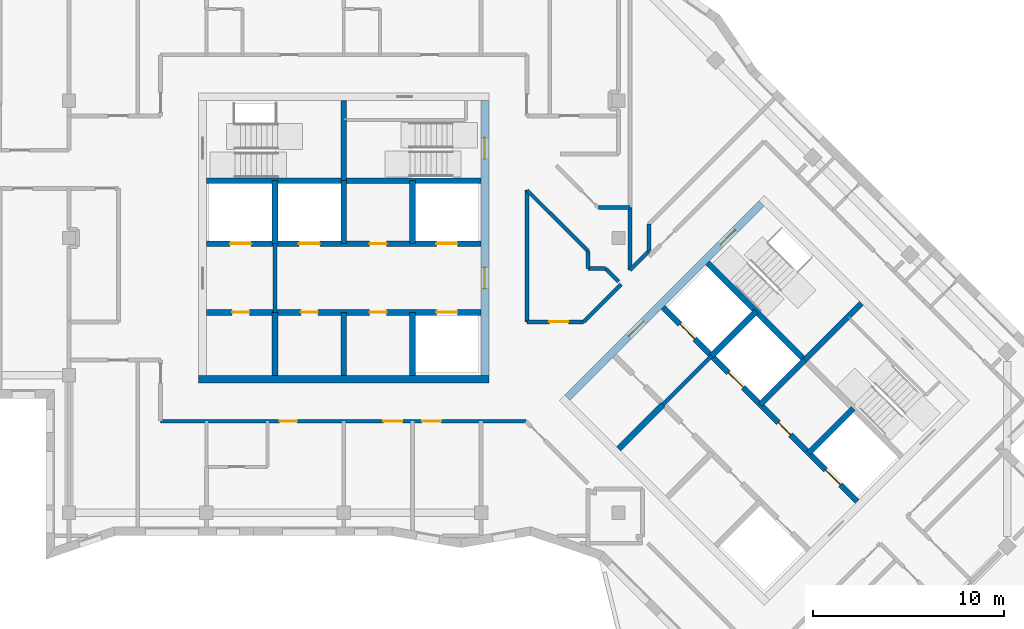
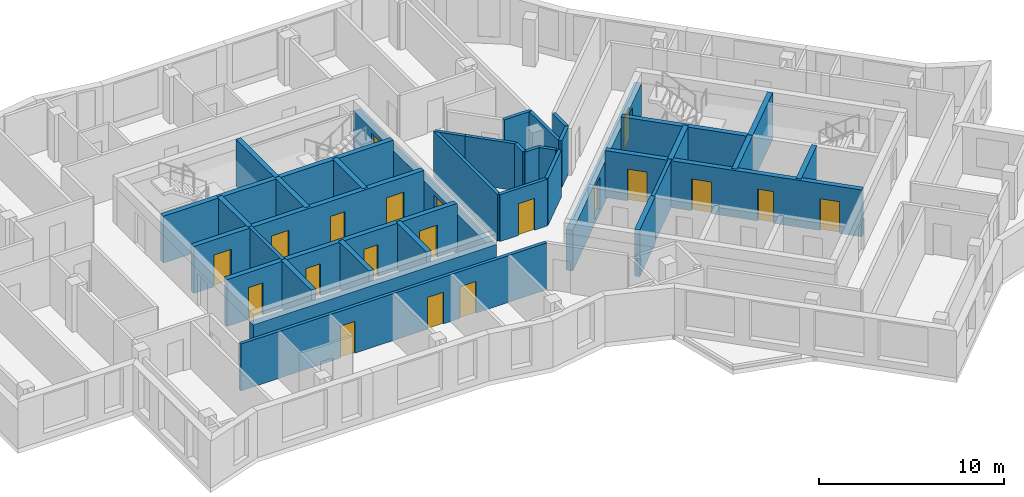
# One storey, part 4 of 11: 36 walls, 20 doors, 20 openings.
"""IFC4 building model written with IfcOpenShell, lengths in metres."""

from ifc_helpers import new_model, si_unit, direction, frame, frame_2d, origin, place, context, subcontext, project, spatial, rectangle, extrude, material, layer, layer_set, type_object, element, fill, save


model = new_model("IFC4")

# Units and contexts
model_context = context("Model", 3, precision=1e-05, world=origin(), true_north=direction((0.0, 1.0)))
body_context = subcontext(model_context, "Body", "Model", "MODEL_VIEW")
ifc_project = project(units=[si_unit("LENGTHUNIT", "METRE"), si_unit("AREAUNIT", "SQUARE_METRE"), si_unit("VOLUMEUNIT", "CUBIC_METRE"), si_unit("PLANEANGLEUNIT", "RADIAN"), si_unit("MASSUNIT", "GRAM", prefix="KILO")], contexts=[model_context])

# Site, building, storey
site_placement = place(None, origin())
site = spatial("IfcSite", under=ifc_project, at=site_placement, CompositionType="ELEMENT")
building_placement = place(site_placement, origin())
building = spatial("IfcBuilding", under=site, at=building_placement, Name="Windrow Commons", CompositionType="ELEMENT")
storey_placement = place(building_placement, frame((0.0, 0.0, 281.2)))
storey = spatial("IfcBuildingStorey", under=building, at=storey_placement, Name="L77", CompositionType="ELEMENT", Elevation=281.2)

# Walls
ifc_material_1 = material(Name="Blockwork partition", Category="masonry")
ifc_layer_1 = layer(ifc_material_1, 0.2)
ifc_layer_set_1 = layer_set([ifc_layer_1], Name="Fire lobby partition 200")
wall_type_1 = type_object("IfcWallType", Name="Fire lobby partition 200", PredefinedType="PARTITIONING", material=ifc_layer_set_1)
for number, where, z_axis, x_axis, name in (
    (1, (61.2, 53.7, 0.0), (0.0, 0.0, 1.0), (0.0, 1.0, 0.0), "W-core-lobby-A-L77"),
    (2, (81.5335, 48.8776, 0.0), (0.0, 0.0, 1.0), (0.707092892, 0.7071206701, 0.0), "W-core-lobby-B-L77"),
):
    element("IfcWall", number, at=place(storey_placement, frame(where, z_axis=z_axis, x_axis=x_axis)), inside=storey, type_object=wall_type_1, Name=name, PredefinedType="PARTITIONING", context=body_context, shape_type="SweptSolid", body=[
        extrude(rectangle(XDim=3.6, YDim=0.2, at=frame_2d((1.8, 0.0))), origin(), (0.0, 0.0, 1.0), 3.1),
    ])

# Wall, openings, doors
ifc_material_2 = material(Name="Blockwork partition", Category="masonry")
ifc_layer_2 = layer(ifc_material_2, 0.2)
ifc_layer_set_2 = layer_set([ifc_layer_2], Name="IW-CORRIDOR-200")
wall_type_2 = type_object("IfcWallType", Name="IW-CORRIDOR-200", PredefinedType="PARTITIONING", material=ifc_layer_set_2)
wall_1_placement = place(storey_placement, frame((55.2, 48.0, 0.0), z_axis=(0.0, 0.0, 1.0), x_axis=(1.0, 0.0, 0.0)))
wall_1 = element("IfcWall", 3, at=wall_1_placement, inside=storey, type_object=wall_type_2, Name="W-L77-W001", PredefinedType="PARTITIONING", context=body_context, shape_type="SweptSolid", body=[
    extrude(rectangle(XDim=19.15, YDim=0.2, at=frame_2d((9.575, 0.0))), origin(), (0.0, 0.0, 1.0), 3.1),
])
opening_1_placement = place(wall_1_placement, frame((6.243, 0.0, 0.0)))
opening_1 = element("IfcOpeningElement", 4, at=opening_1_placement, cuts=wall_1, Name="Opening D109F", PredefinedType="OPENING", context=body_context, shape_type="SweptSolid", body=[
    extrude(rectangle(XDim=0.9, YDim=2.1, at=frame_2d((0.45, 1.05))), frame((0.0, 0.11, 0.0), z_axis=(0.0, -1.0, 0.0), x_axis=(1.0, 0.0, 0.0)), (0.0, 0.0, 1.0), 0.22),
])
opening_2_placement = place(wall_1_placement, frame((11.675, 0.0, 0.0)))
opening_2 = element("IfcOpeningElement", 5, at=opening_2_placement, cuts=wall_1, Name="Opening D310F", PredefinedType="OPENING", context=body_context, shape_type="SweptSolid", body=[
    extrude(rectangle(XDim=1.0, YDim=2.1, at=frame_2d((0.5, 1.05))), frame((0.0, 0.11, 0.0), z_axis=(0.0, -1.0, 0.0), x_axis=(1.0, 0.0, 0.0)), (0.0, 0.0, 1.0), 0.22),
])
opening_3_placement = place(wall_1_placement, frame((13.7075, 0.0, 0.0)))
opening_3 = element("IfcOpeningElement", 6, at=opening_3_placement, cuts=wall_1, Name="Opening D310F", PredefinedType="OPENING", context=body_context, shape_type="SweptSolid", body=[
    extrude(rectangle(XDim=1.0, YDim=2.1, at=frame_2d((0.5, 1.05))), frame((0.0, 0.11, 0.0), z_axis=(0.0, -1.0, 0.0), x_axis=(1.0, 0.0, 0.0)), (0.0, 0.0, 1.0), 0.22),
])
ifc_material_3 = material(Name="Timber door leaf", Category="wood")
door_type_1 = type_object("IfcDoorType", Name="DT-AMENITY-1000", OperationType="SINGLE_SWING_LEFT", PredefinedType="DOOR", material=ifc_material_3)
door_1_placement = place(opening_2_placement, origin())
door_1 = element("IfcDoor", 7, at=door_1_placement, inside=storey, type_object=door_type_1, Name="D-L77-D026", OperationType="SINGLE_SWING_LEFT", OverallHeight=2.1, OverallWidth=1.0, PredefinedType="DOOR", context=body_context, shape_type="SweptSolid", body=[
    extrude(rectangle(XDim=1.0, YDim=2.1, at=frame_2d((0.5, 1.05))), frame((0.0, 0.025, 0.0), z_axis=(0.0, -1.0, 0.0), x_axis=(1.0, 0.0, 0.0)), (0.0, 0.0, 1.0), 0.05),
])
fill(opening_2, door_1)
door_2_placement = place(opening_3_placement, origin())
door_2 = element("IfcDoor", 8, at=door_2_placement, inside=storey, type_object=door_type_1, Name="D-L77-D027", OperationType="SINGLE_SWING_RIGHT", OverallHeight=2.1, OverallWidth=1.0, PredefinedType="DOOR", context=body_context, shape_type="SweptSolid", body=[
    extrude(rectangle(XDim=1.0, YDim=2.1, at=frame_2d((0.5, 1.05))), frame((0.0, 0.025, 0.0), z_axis=(0.0, -1.0, 0.0), x_axis=(1.0, 0.0, 0.0)), (0.0, 0.0, 1.0), 0.05),
])
fill(opening_3, door_2)
ifc_material_4 = material(Name="Timber door leaf", Category="wood")
door_type_2 = type_object("IfcDoorType", Name="DT-BEDROOM-900", OperationType="SINGLE_SWING_LEFT", PredefinedType="DOOR", material=ifc_material_4)
door_3_placement = place(opening_1_placement, origin())
door_3 = element("IfcDoor", 9, at=door_3_placement, inside=storey, type_object=door_type_2, Name="D-L77-D024", OperationType="SINGLE_SWING_LEFT", OverallHeight=2.1, OverallWidth=0.9, PredefinedType="DOOR", context=body_context, shape_type="SweptSolid", body=[
    extrude(rectangle(XDim=0.9, YDim=2.1, at=frame_2d((0.45, 1.05))), frame((0.0, 0.025, 0.0), z_axis=(0.0, -1.0, 0.0), x_axis=(1.0, 0.0, 0.0)), (0.0, 0.0, 1.0), 0.05),
])
fill(opening_1, door_3)

# Walls
wall_2_placement = place(storey_placement, frame((74.4, 53.202, 0.0), z_axis=(0.0, 0.0, 1.0), x_axis=(0.0, 1.0, 0.0)))
element("IfcWall", 10, at=wall_2_placement, inside=storey, type_object=wall_type_2, Name="W-L77-W018", PredefinedType="PARTITIONING", context=body_context, shape_type="SweptSolid", body=[
    extrude(rectangle(XDim=6.908, YDim=0.2, at=frame_2d((3.454, 0.0))), origin(), (0.0, 0.0, 1.0), 3.1),
])
wall_3_placement = place(storey_placement, frame((79.8, 55.914, 0.0), z_axis=(0.0, 0.0, 1.0), x_axis=(0.0, 1.0, 0.0)))
element("IfcWall", 11, at=wall_3_placement, inside=storey, type_object=wall_type_2, Name="W-L77-W045", PredefinedType="PARTITIONING", context=body_context, shape_type="SweptSolid", body=[
    extrude(rectangle(XDim=3.286, YDim=0.2, at=frame_2d((1.643, 0.0))), origin(), (0.0, 0.0, 1.0), 3.1),
])

# Wall, opening, door
wall_4_placement = place(storey_placement, frame((74.402, 53.2, 0.0), z_axis=(0.0, 0.0, 1.0), x_axis=(1.0, 0.0, 0.0)))
wall_4 = element("IfcWall", 12, at=wall_4_placement, inside=storey, type_object=wall_type_2, Name="W-L77-W053", PredefinedType="PARTITIONING", context=body_context, shape_type="SweptSolid", body=[
    extrude(rectangle(XDim=2.968, YDim=0.2, at=frame_2d((1.484, 0.0))), origin(), (0.0, 0.0, 1.0), 3.1),
])
opening_4_placement = place(wall_4_placement, frame((1.175, 0.0, 0.0)))
opening_4 = element("IfcOpeningElement", 13, at=opening_4_placement, cuts=wall_4, Name="Opening D310F", PredefinedType="OPENING", context=body_context, shape_type="SweptSolid", body=[
    extrude(rectangle(XDim=1.0, YDim=2.1, at=frame_2d((0.5, 1.05))), frame((0.0, 0.11, 0.0), z_axis=(0.0, -1.0, 0.0), x_axis=(1.0, 0.0, 0.0)), (0.0, 0.0, 1.0), 0.22),
])
door_4_placement = place(opening_4_placement, origin())
door_4 = element("IfcDoor", 14, at=door_4_placement, inside=storey, type_object=door_type_1, Name="D-L77-D001", OperationType="SINGLE_SWING_LEFT", OverallHeight=2.1, OverallWidth=1.0, PredefinedType="DOOR", context=body_context, shape_type="SweptSolid", body=[
    extrude(rectangle(XDim=1.0, YDim=2.1, at=frame_2d((0.5, 1.05))), frame((0.0, 0.025, 0.0), z_axis=(0.0, -1.0, 0.0), x_axis=(1.0, 0.0, 0.0)), (0.0, 0.0, 1.0), 0.05),
])
fill(opening_4, door_4)

# Walls
wall_5_placement = place(storey_placement, frame((75.6011, 58.9131, 0.0), z_axis=(0.0, 0.0, 1.0), x_axis=(0.707460777, -0.7067526081, 0.0)))
element("IfcWall", 15, at=wall_5_placement, inside=storey, type_object=wall_type_2, Name="W-L77-W055", PredefinedType="PARTITIONING", context=body_context, shape_type="SweptSolid", body=[
    extrude(rectangle(XDim=2.8242, YDim=0.2, at=frame_2d((1.4121, 0.0))), origin(), (0.0, 0.0, 1.0), 3.1),
])
wall_6_placement = place(storey_placement, frame((77.3695, 53.2005, 0.0), z_axis=(0.0, 0.0, 1.0), x_axis=(0.7071067812, 0.7071067812, 0.0)))
element("IfcWall", 16, at=wall_6_placement, inside=storey, type_object=wall_type_2, Name="W-L77-W056", PredefinedType="PARTITIONING", context=body_context, shape_type="SweptSolid", body=[
    extrude(rectangle(XDim=2.786, YDim=0.2, at=frame_2d((1.393, 0.0))), origin(), (0.0, 0.0, 1.0), 3.1),
])
wall_7_placement = place(storey_placement, frame((74.3989, 60.1069, 0.0), z_axis=(0.0, 0.0, 1.0), x_axis=(0.7071067812, -0.7071067812, 0.0)))
element("IfcWall", 17, at=wall_7_placement, inside=storey, type_object=wall_type_2, Name="W-L77-W102", PredefinedType="PARTITIONING", context=body_context, shape_type="SweptSolid", body=[
    extrude(rectangle(XDim=1.6942, YDim=0.2, at=frame_2d((0.8471, 0.0))), origin(), (0.0, 0.0, 1.0), 3.1),
])
wall_8_placement = place(storey_placement, frame((78.144, 59.2, 0.0), z_axis=(0.0, 0.0, 1.0), x_axis=(1.0, 0.0, 0.0)))
element("IfcWall", 18, at=wall_8_placement, inside=storey, type_object=wall_type_2, Name="W-L77-W104", PredefinedType="PARTITIONING", context=body_context, shape_type="SweptSolid", body=[
    extrude(rectangle(XDim=1.656, YDim=0.2, at=frame_2d((0.828, 0.0))), origin(), (0.0, 0.0, 1.0), 3.1),
])
wall_9_placement = place(storey_placement, frame((79.801, 55.915, 0.0), z_axis=(0.0, 0.0, 1.0), x_axis=(0.7071067812, 0.7071067812, 0.0)))
element("IfcWall", 19, at=wall_9_placement, inside=storey, type_object=wall_type_2, Name="W-L77-W107", PredefinedType="PARTITIONING", context=body_context, shape_type="SweptSolid", body=[
    extrude(rectangle(XDim=1.4114, YDim=0.2, at=frame_2d((0.7057, 0.0))), origin(), (0.0, 0.0, 1.0), 3.1),
])
wall_10_placement = place(storey_placement, frame((78.5168, 55.9988, 0.0), z_axis=(0.0, 0.0, 1.0), x_axis=(0.7060737561, -0.7081382993, 0.0)))
element("IfcWall", 20, at=wall_10_placement, inside=storey, type_object=wall_type_2, Name="W-L77-W108", PredefinedType="PARTITIONING", context=body_context, shape_type="SweptSolid", body=[
    extrude(rectangle(XDim=0.9687, YDim=0.2, at=frame_2d((0.4844, 0.0))), origin(), (0.0, 0.0, 1.0), 3.1),
])
for number, where, z_axis, x_axis, name in (
    (21, (77.6, 56.002, 0.0), (0.0, 0.0, 1.0), (0.0, 1.0, 0.0), "W-L77-W113"),
    (22, (77.602, 56.0, 0.0), (0.0, 0.0, 1.0), (1.0, 0.0, 0.0), "W-L77-W114"),
):
    element("IfcWall", number, at=place(storey_placement, frame(where, z_axis=z_axis, x_axis=x_axis)), inside=storey, type_object=wall_type_2, Name=name, PredefinedType="PARTITIONING", context=body_context, shape_type="SweptSolid", body=[
        extrude(rectangle(XDim=0.906, YDim=0.2, at=frame_2d((0.453, 0.0))), origin(), (0.0, 0.0, 1.0), 3.1),
    ])
ifc_material_5 = material(Name="Blockwork partition", Category="masonry")
ifc_layer_3 = layer(ifc_material_5, 0.2)
ifc_layer_set_3 = layer_set([ifc_layer_3], Name="IW-PARTY-200")
wall_type_3 = type_object("IfcWallType", Name="IW-PARTY-200", PredefinedType="PARTITIONING", material=ifc_layer_set_3)
wall_11_placement = place(storey_placement, frame((80.8, 56.912, 0.0), z_axis=(0.0, 0.0, 1.0), x_axis=(0.0, 1.0, 0.0)))
element("IfcWall", 23, at=wall_11_placement, inside=storey, type_object=wall_type_3, Name="W-L77-W106", PredefinedType="PARTITIONING", context=body_context, shape_type="SweptSolid", body=[
    extrude(rectangle(XDim=1.414, YDim=0.2, at=frame_2d((0.707, 0.0))), origin(), (0.0, 0.0, 1.0), 3.1),
])
ifc_material_6 = material(Name="Concrete C40/50", Category="concrete")
ifc_layer_4 = layer(ifc_material_6, 0.4)
ifc_layer_set_4 = layer_set([ifc_layer_4], Name="RC CORE WALL 400 C40/50")
wall_type_4 = type_object("IfcWallType", Name="RC CORE WALL 400 C40/50", PredefinedType="SHEAR", material=ifc_layer_set_4)
wall_12_placement = place(storey_placement, frame((57.2, 50.2, -0.3), z_axis=(0.0, 0.0, 1.0), x_axis=(1.0, 0.0, 0.0)))
element("IfcWall", 24, at=wall_12_placement, inside=storey, type_object=wall_type_4, Name="Core A wall outer-S", PredefinedType="SHEAR", context=body_context, shape_type="SweptSolid", body=[
    extrude(rectangle(XDim=15.2, YDim=0.4, at=frame_2d((7.6, 0.0))), origin(), (0.0, 0.0, 1.0), 2.7),
])

# Wall, openings, doors
wall_13_placement = place(storey_placement, frame((72.2, 50.4, -0.3), z_axis=(0.0, 0.0, 1.0), x_axis=(0.0, 1.0, 0.0)))
wall_13 = element("IfcWall", 25, at=wall_13_placement, inside=storey, type_object=wall_type_4, Name="Core A wall outer-E", PredefinedType="SHEAR", context=body_context, shape_type="SweptSolid", body=[
    extrude(rectangle(XDim=14.4, YDim=0.4, at=frame_2d((7.2, 0.0))), origin(), (0.0, 0.0, 1.0), 2.7),
])
opening_5_placement = place(wall_13_placement, frame((4.55, 0.0, 0.3)))
opening_5 = element("IfcOpeningElement", 26, at=opening_5_placement, cuts=wall_13, Name="Opening D6", PredefinedType="OPENING", context=body_context, shape_type="SweptSolid", body=[
    extrude(rectangle(XDim=1.1, YDim=2.1, at=frame_2d((0.55, 1.05))), frame((0.0, 0.21, 0.0), z_axis=(0.0, -1.0, 0.0), x_axis=(1.0, 0.0, 0.0)), (0.0, 0.0, 1.0), 0.42),
])
opening_6_placement = place(wall_13_placement, frame((11.35, 0.0, 0.3)))
opening_6 = element("IfcOpeningElement", 27, at=opening_6_placement, cuts=wall_13, Name="Opening D7", PredefinedType="OPENING", context=body_context, shape_type="SweptSolid", body=[
    extrude(rectangle(XDim=1.1, YDim=2.1, at=frame_2d((0.55, 1.05))), frame((0.0, 0.21, 0.0), z_axis=(0.0, -1.0, 0.0), x_axis=(1.0, 0.0, 0.0)), (0.0, 0.0, 1.0), 0.42),
])
ifc_material_7 = material(Name="Steel fire door leaf", Category="steel")
door_type_3 = type_object("IfcDoorType", Name="Core lobby door 1100", OperationType="SINGLE_SWING_LEFT", PredefinedType="DOOR", material=ifc_material_7)
door_5_placement = place(opening_5_placement, origin())
door_5 = element("IfcDoor", 28, at=door_5_placement, inside=storey, type_object=door_type_3, Name="Lift lobby door", OperationType="DOUBLE_DOOR_SINGLE_SWING", OverallHeight=2.1, OverallWidth=1.1, PredefinedType="DOOR", context=body_context, shape_type="SweptSolid", body=[
    extrude(rectangle(XDim=1.1, YDim=2.1, at=frame_2d((0.55, 1.05))), frame((0.0, 0.025, 0.0), z_axis=(0.0, -1.0, 0.0), x_axis=(1.0, 0.0, 0.0)), (0.0, 0.0, 1.0), 0.05),
])
fill(opening_5, door_5)
ifc_material_8 = material(Name="Steel fire door leaf", Category="steel")
door_type_4 = type_object("IfcDoorType", Name="Stair door 1100", OperationType="SINGLE_SWING_LEFT", PredefinedType="DOOR", material=ifc_material_8)
door_6_placement = place(opening_6_placement, origin())
door_6 = element("IfcDoor", 29, at=door_6_placement, inside=storey, type_object=door_type_4, Name="Stair door", OperationType="SINGLE_SWING_RIGHT", OverallHeight=2.1, OverallWidth=1.1, PredefinedType="DOOR", context=body_context, shape_type="SweptSolid", body=[
    extrude(rectangle(XDim=1.1, YDim=2.1, at=frame_2d((0.55, 1.05))), frame((0.0, 0.025, 0.0), z_axis=(0.0, -1.0, 0.0), x_axis=(1.0, 0.0, 0.0)), (0.0, 0.0, 1.0), 0.05),
])
fill(opening_6, door_6)

wall_14_placement = place(storey_placement, frame((76.513, 49.2312, -0.3), z_axis=(0.0, 0.0, 1.0), x_axis=(0.7071067812, 0.7071067812, 0.0)))
wall_14 = element("IfcWall", 30, at=wall_14_placement, inside=storey, type_object=wall_type_4, Name="Core B wall outer-W", PredefinedType="SHEAR", context=body_context, shape_type="SweptSolid", body=[
    extrude(rectangle(XDim=14.3999, YDim=0.4, at=frame_2d((7.2, 0.0))), origin(), (0.0, 0.0, 1.0), 2.7),
])
opening_7_placement = place(wall_14_placement, frame((4.55, 0.0, 0.3)))
opening_7 = element("IfcOpeningElement", 31, at=opening_7_placement, cuts=wall_14, Name="Opening D6", PredefinedType="OPENING", context=body_context, shape_type="SweptSolid", body=[
    extrude(rectangle(XDim=1.1, YDim=2.1, at=frame_2d((0.55, 1.05))), frame((0.0, 0.21, 0.0), z_axis=(0.0, -1.0, 0.0), x_axis=(1.0, 0.0, 0.0)), (0.0, 0.0, 1.0), 0.42),
])
opening_8_placement = place(wall_14_placement, frame((11.35, 0.0, 0.3)))
opening_8 = element("IfcOpeningElement", 32, at=opening_8_placement, cuts=wall_14, Name="Opening D7", PredefinedType="OPENING", context=body_context, shape_type="SweptSolid", body=[
    extrude(rectangle(XDim=1.1, YDim=2.1, at=frame_2d((0.55, 1.05))), frame((0.0, 0.21, 0.0), z_axis=(0.0, -1.0, 0.0), x_axis=(1.0, 0.0, 0.0)), (0.0, 0.0, 1.0), 0.42),
])
door_7_placement = place(opening_7_placement, origin())
door_7 = element("IfcDoor", 33, at=door_7_placement, inside=storey, type_object=door_type_3, Name="Lift lobby door", OperationType="DOUBLE_DOOR_SINGLE_SWING", OverallHeight=2.1, OverallWidth=1.1, PredefinedType="DOOR", context=body_context, shape_type="SweptSolid", body=[
    extrude(rectangle(XDim=1.1, YDim=2.1, at=frame_2d((0.55, 1.05))), frame((0.0, 0.025, 0.0), z_axis=(0.0, -1.0, 0.0), x_axis=(1.0, 0.0, 0.0)), (0.0, 0.0, 1.0), 0.05),
])
fill(opening_7, door_7)
door_8_placement = place(opening_8_placement, origin())
door_8 = element("IfcDoor", 34, at=door_8_placement, inside=storey, type_object=door_type_4, Name="Stair door", OperationType="SINGLE_SWING_LEFT", OverallHeight=2.1, OverallWidth=1.1, PredefinedType="DOOR", context=body_context, shape_type="SweptSolid", body=[
    extrude(rectangle(XDim=1.1, YDim=2.1, at=frame_2d((0.55, 1.05))), frame((0.0, 0.025, 0.0), z_axis=(0.0, -1.0, 0.0), x_axis=(1.0, 0.0, 0.0)), (0.0, 0.0, 1.0), 0.05),
])
fill(opening_8, door_8)

# Walls
ifc_material_9 = material(Name="Concrete C40/50", Category="concrete")
ifc_layer_5 = layer(ifc_material_9, 0.3)
ifc_layer_set_5 = layer_set([ifc_layer_5], Name="RC SHAFT WALL 300 C40/50")
wall_type_5 = type_object("IfcWallType", Name="RC SHAFT WALL 300 C40/50", PredefinedType="SOLIDWALL", material=ifc_layer_set_5)
for number, where, z_axis, x_axis, name in (
    (35, (61.2, 50.4, 0.0), (0.0, 0.0, 1.0), (0.0, 1.0, 0.0), "Core A wall shaft-S1"),
    (36, (61.2, 57.3, 0.0), (0.0, 0.0, 1.0), (0.0, 1.0, 0.0), "Core A wall shaft-N1"),
    (37, (64.8, 50.4, 0.0), (0.0, 0.0, 1.0), (0.0, 1.0, 0.0), "Core A wall shaft-S2"),
    (38, (64.8, 57.3, 0.0), (0.0, 0.0, 1.0), (0.0, 1.0, 0.0), "Core A wall shaft-N2"),
    (39, (68.4, 50.4, 0.0), (0.0, 0.0, 1.0), (0.0, 1.0, 0.0), "Core A wall shaft-S3"),
    (40, (68.4, 57.3, 0.0), (0.0, 0.0, 1.0), (0.0, 1.0, 0.0), "Core A wall shaft-N3"),
):
    element("IfcWall", number, at=place(storey_placement, frame(where, z_axis=z_axis, x_axis=x_axis)), inside=storey, type_object=wall_type_5, Name=name, PredefinedType="SOLIDWALL", context=body_context, shape_type="SweptSolid", body=[
        extrude(rectangle(XDim=3.3, YDim=0.3, at=frame_2d((1.65, 0.0))), origin(), (0.0, 0.0, 1.0), 3.1),
    ])

# Wall, openings, doors
wall_15_placement = place(storey_placement, frame((57.6, 53.7, 0.0), z_axis=(0.0, 0.0, 1.0), x_axis=(1.0, 0.0, 0.0)))
wall_15 = element("IfcWall", 41, at=wall_15_placement, inside=storey, type_object=wall_type_5, Name="Core A wall lobby-S", PredefinedType="SOLIDWALL", context=body_context, shape_type="SweptSolid", body=[
    extrude(rectangle(XDim=14.4, YDim=0.3, at=frame_2d((7.2, 0.0))), origin(), (0.0, 0.0, 1.0), 3.1),
])
opening_9_placement = place(wall_15_placement, frame((1.35, 0.0, 0.0)))
opening_9 = element("IfcOpeningElement", 42, at=opening_9_placement, cuts=wall_15, Name="Opening D8", PredefinedType="OPENING", context=body_context, shape_type="SweptSolid", body=[
    extrude(rectangle(XDim=0.9, YDim=2.1, at=frame_2d((0.45, 1.05))), frame((0.0, 0.16, 0.0), z_axis=(0.0, -1.0, 0.0), x_axis=(1.0, 0.0, 0.0)), (0.0, 0.0, 1.0), 0.32),
])
opening_10_placement = place(wall_15_placement, frame((4.95, 0.0, 0.0)))
opening_10 = element("IfcOpeningElement", 43, at=opening_10_placement, cuts=wall_15, Name="Opening D8", PredefinedType="OPENING", context=body_context, shape_type="SweptSolid", body=[
    extrude(rectangle(XDim=0.9, YDim=2.1, at=frame_2d((0.45, 1.05))), frame((0.0, 0.16, 0.0), z_axis=(0.0, -1.0, 0.0), x_axis=(1.0, 0.0, 0.0)), (0.0, 0.0, 1.0), 0.32),
])
opening_11_placement = place(wall_15_placement, frame((8.55, 0.0, 0.0)))
opening_11 = element("IfcOpeningElement", 44, at=opening_11_placement, cuts=wall_15, Name="Opening D8", PredefinedType="OPENING", context=body_context, shape_type="SweptSolid", body=[
    extrude(rectangle(XDim=0.9, YDim=2.1, at=frame_2d((0.45, 1.05))), frame((0.0, 0.16, 0.0), z_axis=(0.0, -1.0, 0.0), x_axis=(1.0, 0.0, 0.0)), (0.0, 0.0, 1.0), 0.32),
])
opening_12_placement = place(wall_15_placement, frame((12.05, 0.0, 0.0)))
opening_12 = element("IfcOpeningElement", 45, at=opening_12_placement, cuts=wall_15, Name="Opening LD", PredefinedType="OPENING", context=body_context, shape_type="SweptSolid", body=[
    extrude(rectangle(XDim=1.1, YDim=2.1, at=frame_2d((0.55, 1.05))), frame((0.0, 0.16, 0.0), z_axis=(0.0, -1.0, 0.0), x_axis=(1.0, 0.0, 0.0)), (0.0, 0.0, 1.0), 0.32),
])
ifc_material_10 = material(Name="Steel fire door leaf", Category="steel")
door_type_5 = type_object("IfcDoorType", Name="Core store door 900", OperationType="SINGLE_SWING_LEFT", PredefinedType="DOOR", material=ifc_material_10)
door_9_placement = place(opening_9_placement, origin())
door_9 = element("IfcDoor", 46, at=door_9_placement, inside=storey, type_object=door_type_5, Name="Store door", OperationType="SINGLE_SWING_LEFT", OverallHeight=2.1, OverallWidth=0.9, PredefinedType="DOOR", context=body_context, shape_type="SweptSolid", body=[
    extrude(rectangle(XDim=0.9, YDim=2.1, at=frame_2d((0.45, 1.05))), frame((0.0, 0.025, 0.0), z_axis=(0.0, -1.0, 0.0), x_axis=(1.0, 0.0, 0.0)), (0.0, 0.0, 1.0), 0.05),
])
fill(opening_9, door_9)
door_10_placement = place(opening_10_placement, origin())
door_10 = element("IfcDoor", 47, at=door_10_placement, inside=storey, type_object=door_type_5, Name="Store door", OperationType="SINGLE_SWING_LEFT", OverallHeight=2.1, OverallWidth=0.9, PredefinedType="DOOR", context=body_context, shape_type="SweptSolid", body=[
    extrude(rectangle(XDim=0.9, YDim=2.1, at=frame_2d((0.45, 1.05))), frame((0.0, 0.025, 0.0), z_axis=(0.0, -1.0, 0.0), x_axis=(1.0, 0.0, 0.0)), (0.0, 0.0, 1.0), 0.05),
])
fill(opening_10, door_10)
door_11_placement = place(opening_11_placement, origin())
door_11 = element("IfcDoor", 48, at=door_11_placement, inside=storey, type_object=door_type_5, Name="Store door", OperationType="SINGLE_SWING_LEFT", OverallHeight=2.1, OverallWidth=0.9, PredefinedType="DOOR", context=body_context, shape_type="SweptSolid", body=[
    extrude(rectangle(XDim=0.9, YDim=2.1, at=frame_2d((0.45, 1.05))), frame((0.0, 0.025, 0.0), z_axis=(0.0, -1.0, 0.0), x_axis=(1.0, 0.0, 0.0)), (0.0, 0.0, 1.0), 0.05),
])
fill(opening_11, door_11)
ifc_material_11 = material(Name="Stainless steel door leaf", Category="steel")
door_type_6 = type_object("IfcDoorType", Name="Lift landing door 1100", OperationType="SLIDING_TO_LEFT", PredefinedType="DOOR", material=ifc_material_11)
door_12_placement = place(opening_12_placement, origin())
door_12 = element("IfcDoor", 49, at=door_12_placement, inside=storey, type_object=door_type_6, Name="Lift landing door", OperationType="SLIDING_TO_RIGHT", OverallHeight=2.1, OverallWidth=1.1, PredefinedType="DOOR", context=body_context, shape_type="SweptSolid", body=[
    extrude(rectangle(XDim=1.1, YDim=2.1, at=frame_2d((0.55, 1.05))), frame((0.0, 0.025, 0.0), z_axis=(0.0, -1.0, 0.0), x_axis=(1.0, 0.0, 0.0)), (0.0, 0.0, 1.0), 0.05),
])
fill(opening_12, door_12)

wall_16_placement = place(storey_placement, frame((57.6, 57.3, 0.0), z_axis=(0.0, 0.0, 1.0), x_axis=(1.0, 0.0, 0.0)))
wall_16 = element("IfcWall", 50, at=wall_16_placement, inside=storey, type_object=wall_type_5, Name="Core A wall lobby-N", PredefinedType="SOLIDWALL", context=body_context, shape_type="SweptSolid", body=[
    extrude(rectangle(XDim=14.4, YDim=0.3, at=frame_2d((7.2, 0.0))), origin(), (0.0, 0.0, 1.0), 3.1),
])
opening_13_placement = place(wall_16_placement, frame((8.55, 0.0, 0.0)))
opening_13 = element("IfcOpeningElement", 51, at=opening_13_placement, cuts=wall_16, Name="Opening D8", PredefinedType="OPENING", context=body_context, shape_type="SweptSolid", body=[
    extrude(rectangle(XDim=0.9, YDim=2.1, at=frame_2d((0.45, 1.05))), frame((0.0, 0.16, 0.0), z_axis=(0.0, -1.0, 0.0), x_axis=(1.0, 0.0, 0.0)), (0.0, 0.0, 1.0), 0.32),
])
opening_14_placement = place(wall_16_placement, frame((1.25, 0.0, 0.0)))
opening_14 = element("IfcOpeningElement", 52, at=opening_14_placement, cuts=wall_16, Name="Opening LD", PredefinedType="OPENING", context=body_context, shape_type="SweptSolid", body=[
    extrude(rectangle(XDim=1.1, YDim=2.1, at=frame_2d((0.55, 1.05))), frame((0.0, 0.16, 0.0), z_axis=(0.0, -1.0, 0.0), x_axis=(1.0, 0.0, 0.0)), (0.0, 0.0, 1.0), 0.32),
])
opening_15_placement = place(wall_16_placement, frame((4.85, 0.0, 0.0)))
opening_15 = element("IfcOpeningElement", 53, at=opening_15_placement, cuts=wall_16, Name="Opening LD", PredefinedType="OPENING", context=body_context, shape_type="SweptSolid", body=[
    extrude(rectangle(XDim=1.1, YDim=2.1, at=frame_2d((0.55, 1.05))), frame((0.0, 0.16, 0.0), z_axis=(0.0, -1.0, 0.0), x_axis=(1.0, 0.0, 0.0)), (0.0, 0.0, 1.0), 0.32),
])
opening_16_placement = place(wall_16_placement, frame((12.05, 0.0, 0.0)))
opening_16 = element("IfcOpeningElement", 54, at=opening_16_placement, cuts=wall_16, Name="Opening LD", PredefinedType="OPENING", context=body_context, shape_type="SweptSolid", body=[
    extrude(rectangle(XDim=1.1, YDim=2.1, at=frame_2d((0.55, 1.05))), frame((0.0, 0.16, 0.0), z_axis=(0.0, -1.0, 0.0), x_axis=(1.0, 0.0, 0.0)), (0.0, 0.0, 1.0), 0.32),
])
door_13_placement = place(opening_13_placement, origin())
door_13 = element("IfcDoor", 55, at=door_13_placement, inside=storey, type_object=door_type_5, Name="Store door", OperationType="SINGLE_SWING_LEFT", OverallHeight=2.1, OverallWidth=0.9, PredefinedType="DOOR", context=body_context, shape_type="SweptSolid", body=[
    extrude(rectangle(XDim=0.9, YDim=2.1, at=frame_2d((0.45, 1.05))), frame((0.0, 0.025, 0.0), z_axis=(0.0, -1.0, 0.0), x_axis=(1.0, 0.0, 0.0)), (0.0, 0.0, 1.0), 0.05),
])
fill(opening_13, door_13)
door_14_placement = place(opening_14_placement, origin())
door_14 = element("IfcDoor", 56, at=door_14_placement, inside=storey, type_object=door_type_6, Name="Lift landing door", OperationType="SLIDING_TO_LEFT", OverallHeight=2.1, OverallWidth=1.1, PredefinedType="DOOR", context=body_context, shape_type="SweptSolid", body=[
    extrude(rectangle(XDim=1.1, YDim=2.1, at=frame_2d((0.55, 1.05))), frame((0.0, 0.025, 0.0), z_axis=(0.0, -1.0, 0.0), x_axis=(1.0, 0.0, 0.0)), (0.0, 0.0, 1.0), 0.05),
])
fill(opening_14, door_14)
door_15_placement = place(opening_15_placement, origin())
door_15 = element("IfcDoor", 57, at=door_15_placement, inside=storey, type_object=door_type_6, Name="Lift landing door", OperationType="SLIDING_TO_RIGHT", OverallHeight=2.1, OverallWidth=1.1, PredefinedType="DOOR", context=body_context, shape_type="SweptSolid", body=[
    extrude(rectangle(XDim=1.1, YDim=2.1, at=frame_2d((0.55, 1.05))), frame((0.0, 0.025, 0.0), z_axis=(0.0, -1.0, 0.0), x_axis=(1.0, 0.0, 0.0)), (0.0, 0.0, 1.0), 0.05),
])
fill(opening_15, door_15)
door_16_placement = place(opening_16_placement, origin())
door_16 = element("IfcDoor", 58, at=door_16_placement, inside=storey, type_object=door_type_6, Name="Lift landing door", OperationType="SLIDING_TO_RIGHT", OverallHeight=2.1, OverallWidth=1.1, PredefinedType="DOOR", context=body_context, shape_type="SweptSolid", body=[
    extrude(rectangle(XDim=1.1, YDim=2.1, at=frame_2d((0.55, 1.05))), frame((0.0, 0.025, 0.0), z_axis=(0.0, -1.0, 0.0), x_axis=(1.0, 0.0, 0.0)), (0.0, 0.0, 1.0), 0.05),
])
fill(opening_16, door_16)

# Walls
for number, where, z_axis, x_axis, name in (
    (59, (57.6, 60.6, 0.0), (0.0, 0.0, 1.0), (1.0, 0.0, 0.0), "Core A wall stair-S"),
    (60, (64.8, 60.6, 0.0), (0.0, 0.0, 1.0), (1.0, 0.0, 0.0), "Core A wall stair-S2"),
):
    element("IfcWall", number, at=place(storey_placement, frame(where, z_axis=z_axis, x_axis=x_axis)), inside=storey, type_object=wall_type_5, Name=name, PredefinedType="SOLIDWALL", context=body_context, shape_type="SweptSolid", body=[
        extrude(rectangle(XDim=7.2, YDim=0.3, at=frame_2d((3.6, 0.0))), origin(), (0.0, 0.0, 1.0), 3.1),
    ])
wall_17_placement = place(storey_placement, frame((64.8, 60.6, 0.0), z_axis=(0.0, 0.0, 1.0), x_axis=(0.0, 1.0, 0.0)))
element("IfcWall", 61, at=wall_17_placement, inside=storey, type_object=wall_type_5, Name="Core A wall stair-mid", PredefinedType="SOLIDWALL", context=body_context, shape_type="SweptSolid", body=[
    extrude(rectangle(XDim=4.2, YDim=0.3, at=frame_2d((2.1, 0.0))), origin(), (0.0, 0.0, 1.0), 3.1),
])
for number, where, z_axis, x_axis, name in (
    (62, (79.2, 46.5442, 0.0), (0.0, 0.0, 1.0), (0.7071219326, 0.7070916295, 0.0), "Core B wall shaft-S1"),
    (63, (84.079, 51.4232, 0.0), (0.0, 0.0, 1.0), (0.7071219326, 0.7070916295, 0.0), "Core B wall shaft-N1"),
):
    element("IfcWall", number, at=place(storey_placement, frame(where, z_axis=z_axis, x_axis=x_axis)), inside=storey, type_object=wall_type_5, Name=name, PredefinedType="SOLIDWALL", context=body_context, shape_type="SweptSolid", body=[
        extrude(rectangle(XDim=3.3, YDim=0.3, at=frame_2d((1.65, 0.0))), origin(), (0.0, 0.0, 1.0), 3.1),
    ])
for number, where, z_axis, x_axis, name in (
    (64, (86.6246, 48.8776, 0.0), (0.0, 0.0, 1.0), (0.7071067812, 0.7071067812, 0.0), "Core B wall shaft-N2"),
    (65, (89.1702, 46.332, 0.0), (0.0, 0.0, 1.0), (0.7071067812, 0.7071067812, 0.0), "Core B wall shaft-N3"),
):
    element("IfcWall", number, at=place(storey_placement, frame(where, z_axis=z_axis, x_axis=x_axis)), inside=storey, type_object=wall_type_5, Name=name, PredefinedType="SOLIDWALL", context=body_context, shape_type="SweptSolid", body=[
        extrude(rectangle(XDim=3.3001, YDim=0.3, at=frame_2d((1.6501, 0.0))), origin(), (0.0, 0.0, 1.0), 3.1),
    ])

# Wall, openings, doors
wall_18_placement = place(storey_placement, frame((81.5335, 53.9688, 0.0), z_axis=(0.0, 0.0, 1.0), x_axis=(0.707103309, -0.7071102534, 0.0)))
wall_18 = element("IfcWall", 66, at=wall_18_placement, inside=storey, type_object=wall_type_5, Name="Core B wall lobby-N", PredefinedType="SOLIDWALL", context=body_context, shape_type="SweptSolid", body=[
    extrude(rectangle(XDim=14.4, YDim=0.3, at=frame_2d((7.2, 0.0))), origin(), (0.0, 0.0, 1.0), 3.1),
])
opening_17_placement = place(wall_18_placement, frame((8.55, 0.0, 0.0)))
opening_17 = element("IfcOpeningElement", 67, at=opening_17_placement, cuts=wall_18, Name="Opening D8", PredefinedType="OPENING", context=body_context, shape_type="SweptSolid", body=[
    extrude(rectangle(XDim=0.9, YDim=2.1, at=frame_2d((0.45, 1.05))), frame((0.0, 0.16, 0.0), z_axis=(0.0, -1.0, 0.0), x_axis=(1.0, 0.0, 0.0)), (0.0, 0.0, 1.0), 0.32),
])
opening_18_placement = place(wall_18_placement, frame((1.25, 0.0, 0.0)))
opening_18 = element("IfcOpeningElement", 68, at=opening_18_placement, cuts=wall_18, Name="Opening LD", PredefinedType="OPENING", context=body_context, shape_type="SweptSolid", body=[
    extrude(rectangle(XDim=1.1, YDim=2.1, at=frame_2d((0.55, 1.05))), frame((0.0, 0.16, 0.0), z_axis=(0.0, -1.0, 0.0), x_axis=(1.0, 0.0, 0.0)), (0.0, 0.0, 1.0), 0.32),
])
opening_19_placement = place(wall_18_placement, frame((4.85, 0.0, 0.0)))
opening_19 = element("IfcOpeningElement", 69, at=opening_19_placement, cuts=wall_18, Name="Opening LD", PredefinedType="OPENING", context=body_context, shape_type="SweptSolid", body=[
    extrude(rectangle(XDim=1.1, YDim=2.1, at=frame_2d((0.55, 1.05))), frame((0.0, 0.16, 0.0), z_axis=(0.0, -1.0, 0.0), x_axis=(1.0, 0.0, 0.0)), (0.0, 0.0, 1.0), 0.32),
])
opening_20_placement = place(wall_18_placement, frame((12.05, 0.0, 0.0)))
opening_20 = element("IfcOpeningElement", 70, at=opening_20_placement, cuts=wall_18, Name="Opening LD", PredefinedType="OPENING", context=body_context, shape_type="SweptSolid", body=[
    extrude(rectangle(XDim=1.1, YDim=2.1, at=frame_2d((0.55, 1.05))), frame((0.0, 0.16, 0.0), z_axis=(0.0, -1.0, 0.0), x_axis=(1.0, 0.0, 0.0)), (0.0, 0.0, 1.0), 0.32),
])
door_17_placement = place(opening_17_placement, origin())
door_17 = element("IfcDoor", 71, at=door_17_placement, inside=storey, type_object=door_type_5, Name="Store door", OperationType="SINGLE_SWING_LEFT", OverallHeight=2.1, OverallWidth=0.9, PredefinedType="DOOR", context=body_context, shape_type="SweptSolid", body=[
    extrude(rectangle(XDim=0.9, YDim=2.1, at=frame_2d((0.45, 1.05))), frame((0.0, 0.025, 0.0), z_axis=(0.0, -1.0, 0.0), x_axis=(1.0, 0.0, 0.0)), (0.0, 0.0, 1.0), 0.05),
])
fill(opening_17, door_17)
door_18_placement = place(opening_18_placement, origin())
door_18 = element("IfcDoor", 72, at=door_18_placement, inside=storey, type_object=door_type_6, Name="Lift landing door", OperationType="SLIDING_TO_LEFT", OverallHeight=2.1, OverallWidth=1.1, PredefinedType="DOOR", context=body_context, shape_type="SweptSolid", body=[
    extrude(rectangle(XDim=1.1, YDim=2.1, at=frame_2d((0.55, 1.05))), frame((0.0, 0.025, 0.0), z_axis=(0.0, -1.0, 0.0), x_axis=(1.0, 0.0, 0.0)), (0.0, 0.0, 1.0), 0.05),
])
fill(opening_18, door_18)
door_19_placement = place(opening_19_placement, origin())
door_19 = element("IfcDoor", 73, at=door_19_placement, inside=storey, type_object=door_type_6, Name="Lift landing door", OperationType="SLIDING_TO_RIGHT", OverallHeight=2.1, OverallWidth=1.1, PredefinedType="DOOR", context=body_context, shape_type="SweptSolid", body=[
    extrude(rectangle(XDim=1.1, YDim=2.1, at=frame_2d((0.55, 1.05))), frame((0.0, 0.025, 0.0), z_axis=(0.0, -1.0, 0.0), x_axis=(1.0, 0.0, 0.0)), (0.0, 0.0, 1.0), 0.05),
])
fill(opening_19, door_19)
door_20_placement = place(opening_20_placement, origin())
door_20 = element("IfcDoor", 74, at=door_20_placement, inside=storey, type_object=door_type_6, Name="Lift landing door", OperationType="SLIDING_TO_RIGHT", OverallHeight=2.1, OverallWidth=1.1, PredefinedType="DOOR", context=body_context, shape_type="SweptSolid", body=[
    extrude(rectangle(XDim=1.1, YDim=2.1, at=frame_2d((0.55, 1.05))), frame((0.0, 0.025, 0.0), z_axis=(0.0, -1.0, 0.0), x_axis=(1.0, 0.0, 0.0)), (0.0, 0.0, 1.0), 0.05),
])
fill(opening_20, door_20)

# Walls
wall_19_placement = place(storey_placement, frame((83.8669, 56.3022, 0.0), z_axis=(0.0, 0.0, 1.0), x_axis=(0.7071137256, -0.7070998367, 0.0)))
element("IfcWall", 75, at=wall_19_placement, inside=storey, type_object=wall_type_5, Name="Core B wall stair-S", PredefinedType="SOLIDWALL", context=body_context, shape_type="SweptSolid", body=[
    extrude(rectangle(XDim=7.2, YDim=0.3, at=frame_2d((3.6, 0.0))), origin(), (0.0, 0.0, 1.0), 3.1),
])
wall_20_placement = place(storey_placement, frame((88.9581, 51.2111, 0.0), z_axis=(0.0, 0.0, 1.0), x_axis=(0.7071067812, 0.7071067812, 0.0)))
element("IfcWall", 76, at=wall_20_placement, inside=storey, type_object=wall_type_5, Name="Core B wall stair-mid", PredefinedType="SOLIDWALL", context=body_context, shape_type="SweptSolid", body=[
    extrude(rectangle(XDim=4.1999, YDim=0.3, at=frame_2d((2.1, 0.0))), origin(), (0.0, 0.0, 1.0), 3.1),
])

save(model, "model.ifc")
